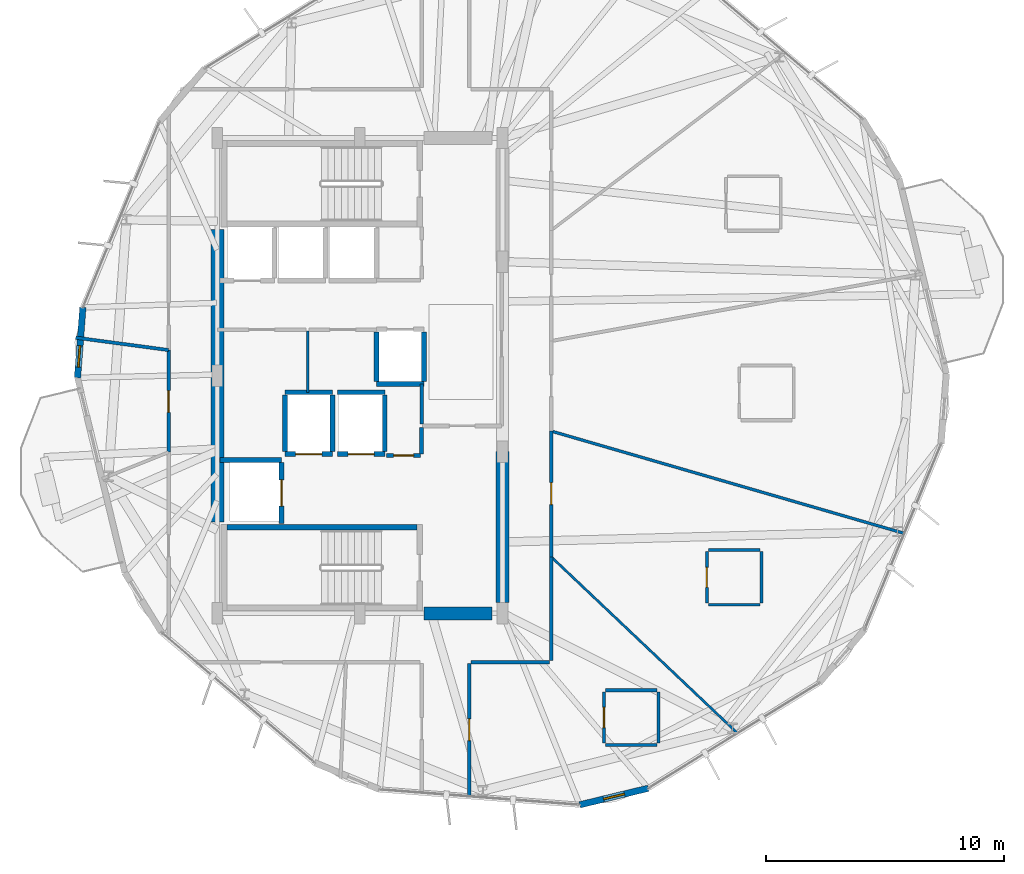
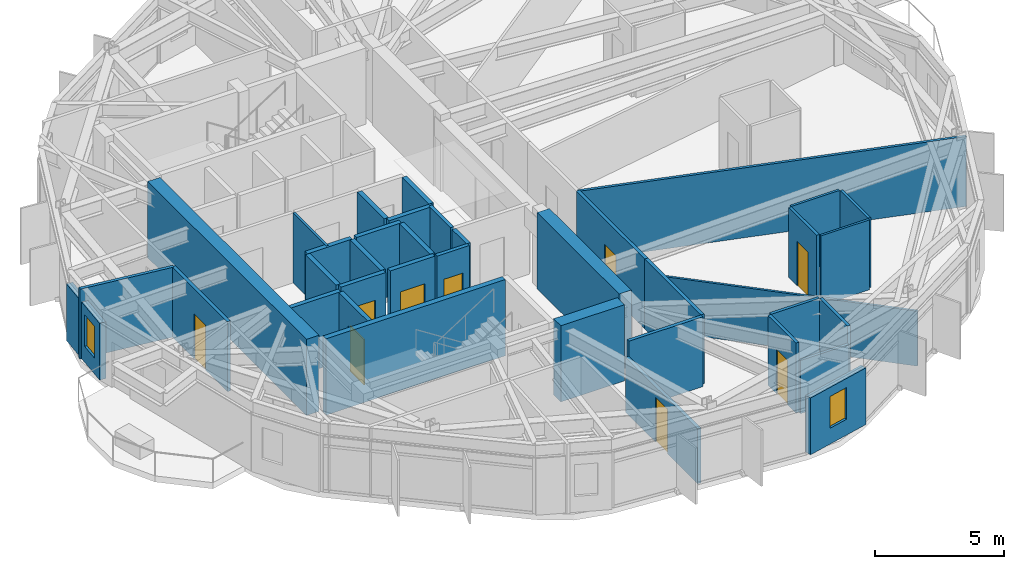
# One storey, part 15 of 21: 38 walls, 9 doors, 2 windows, 11 openings.
"""IFC4 building model written with IfcOpenShell, lengths in metres."""

from ifc_helpers import new_model, si_unit, direction, frame, frame_2d, origin, place, context, subcontext, project, spatial, rectangle, extrude, material, layer, layer_set, type_object, element, fill, save


model = new_model("IFC4")

# Units and contexts
model_context = context("Model", 3, precision=1e-05, world=origin(), true_north=direction((0.0, 1.0)))
body_context = subcontext(model_context, "Body", "Model", "MODEL_VIEW")
ifc_project = project(units=[si_unit("LENGTHUNIT", "METRE"), si_unit("AREAUNIT", "SQUARE_METRE"), si_unit("VOLUMEUNIT", "CUBIC_METRE"), si_unit("PLANEANGLEUNIT", "RADIAN"), si_unit("MASSUNIT", "GRAM", prefix="KILO")], contexts=[model_context])

# Site, building, storey
site_placement = place(None, origin())
site = spatial("IfcSite", under=ifc_project, at=site_placement, CompositionType="ELEMENT")
building_placement = place(site_placement, origin())
building = spatial("IfcBuilding", under=site, at=building_placement, Name="Soratama Intermodal Tower", CompositionType="ELEMENT")
storey_placement = place(building_placement, frame((0.0, 0.0, 149.800048828125)))
storey = spatial("IfcBuildingStorey", under=building, at=storey_placement, Name="L36", CompositionType="ELEMENT", Elevation=149.800048828125)

# Wall, opening, window
ifc_material_1 = material(Name="Concrete f'c 42 MPa", Category="concrete")
ifc_layer_1 = layer(ifc_material_1, 0.27001953125)
ifc_layer_set_1 = layer_set([ifc_layer_1], Name="Concrete f'c 42 MPa")
wall_type_1 = type_object("IfcWallType", Name="EW-CRN-270", PredefinedType="SOLIDWALL", material=ifc_layer_set_1)
wall_1_placement = place(storey_placement, frame((26.944580078125, 27.87060546875, 0.0), z_axis=(0.0, 0.0, 1.0), x_axis=(-0.076369253278, -0.997079604221, 0.0)))
wall_1 = element("IfcWall", 1, at=wall_1_placement, inside=storey, type_object=wall_type_1, Name="L36 Corner Closure Wall 04", PredefinedType="SOLIDWALL", context=body_context, shape_type="SweptSolid", body=[
    extrude(rectangle(XDim=2.966552734375, YDim=0.27001953125, at=frame_2d((1.4833984375, 0.0))), origin(), (0.0, 0.0, 1.0), 2.678955078125),
])
opening_1_placement = place(wall_1_placement, frame((1.61669921875, 0.0, 0.75)))
opening_1 = element("IfcOpeningElement", 2, at=opening_1_placement, cuts=wall_1, Name="Opening WN-6", PredefinedType="OPENING", context=body_context, shape_type="SweptSolid", body=[
    extrude(rectangle(XDim=0.89990234375, YDim=1.5, at=frame_2d((0.449951171875, 0.75))), frame((0.0, 0.14501953125, 0.0), z_axis=(0.0, -1.0, 0.0), x_axis=(1.0, 0.0, 0.0)), (0.0, 0.0, 1.0), 0.2900390625),
])
ifc_material_2 = material(Name="Double-glazed aluminium window", Category="aluminium")
window_type = type_object("IfcWindowType", Name="WN-FAC-900", PartitioningType="SINGLE_PANEL", PredefinedType="WINDOW", material=ifc_material_2)
window_1_placement = place(opening_1_placement, origin())
window_1 = element("IfcWindow", 3, at=window_1_placement, inside=storey, type_object=window_type, Name="L36 Corner Window 04", OverallHeight=1.5, OverallWidth=0.89990234375, PartitioningType="SINGLE_PANEL", PredefinedType="WINDOW", context=body_context, shape_type="SweptSolid", body=[
    extrude(rectangle(XDim=0.89990234375, YDim=1.5, at=frame_2d((0.449951171875, 0.75))), frame((0.0, 0.030029296875, 0.0), z_axis=(0.0, -1.0, 0.0), x_axis=(1.0, 0.0, 0.0)), (0.0, 0.0, 1.0), 0.06005859375),
])
fill(opening_1, window_1)

wall_2_placement = place(storey_placement, frame((47.849365234375, 6.941162109375, 0.0), z_axis=(0.0, 0.0, 1.0), x_axis=(0.971864950353, 0.235538782955, 0.0)))
wall_2 = element("IfcWall", 4, at=wall_2_placement, inside=storey, type_object=wall_type_1, Name="L36 Corner Closure Wall 07", PredefinedType="SOLIDWALL", context=body_context, shape_type="SweptSolid", body=[
    extrude(rectangle(XDim=2.966552734375, YDim=0.27001953125, at=frame_2d((1.4833984375, 0.0))), origin(), (0.0, 0.0, 1.0), 2.678955078125),
])
opening_2_placement = place(wall_2_placement, frame((1.033203125, 0.0, 0.75)))
opening_2 = element("IfcOpeningElement", 5, at=opening_2_placement, cuts=wall_2, Name="Opening WN-6", PredefinedType="OPENING", context=body_context, shape_type="SweptSolid", body=[
    extrude(rectangle(XDim=0.89990234375, YDim=1.5, at=frame_2d((0.449951171875, 0.75))), frame((0.0, 0.14501953125, 0.0), z_axis=(0.0, -1.0, 0.0), x_axis=(1.0, 0.0, 0.0)), (0.0, 0.0, 1.0), 0.2900390625),
])
window_2_placement = place(opening_2_placement, origin())
window_2 = element("IfcWindow", 6, at=window_2_placement, inside=storey, type_object=window_type, Name="L36 Corner Window 07", OverallHeight=1.5, OverallWidth=0.89990234375, PartitioningType="SINGLE_PANEL", PredefinedType="WINDOW", context=body_context, shape_type="SweptSolid", body=[
    extrude(rectangle(XDim=0.89990234375, YDim=1.5, at=frame_2d((0.449951171875, 0.75))), frame((0.0, 0.030029296875, 0.0), z_axis=(0.0, -1.0, 0.0), x_axis=(1.0, 0.0, 0.0)), (0.0, 0.0, 1.0), 0.06005859375),
])
fill(opening_2, window_2)

# Wall, opening, door
ifc_material_3 = material(Name="Fire-rated gypsum stud partition", Category="concrete")
ifc_layer_2 = layer(ifc_material_3, 0.14990234375)
ifc_layer_set_2 = layer_set([ifc_layer_2], Name="Fire-rated gypsum stud partition")
wall_type_2 = type_object("IfcWallType", Name="IW-PART-R150", PredefinedType="PARTITIONING", material=ifc_layer_set_2)
wall_3_placement = place(storey_placement, frame((43.199951171875, 12.8798828125, 0.0), z_axis=(0.0, 0.0, 1.0), x_axis=(0.0, -1.0, 0.0)))
wall_3 = element("IfcWall", 7, at=wall_3_placement, inside=storey, type_object=wall_type_2, Name="L36 Partition W-L36-TP013", PredefinedType="PARTITIONING", context=body_context, shape_type="SweptSolid", body=[
    extrude(rectangle(XDim=5.582763671875, YDim=0.14990234375, at=frame_2d((2.79150390625, 0.0))), origin(), (0.0, 0.0, 1.0), 2.594970703125),
])
opening_3_placement = place(wall_3_placement, frame((2.31689453125, 0.0, 0.0)))
opening_3 = element("IfcOpeningElement", 8, at=opening_3_placement, cuts=wall_3, Name="Opening ID-6", PredefinedType="OPENING", context=body_context, shape_type="SweptSolid", body=[
    extrude(rectangle(XDim=0.919921875, YDim=2.1201171875, at=frame_2d((0.4599609375, 1.06005859375))), frame((0.0, 0.0849609375, 0.0), z_axis=(0.0, -1.0, 0.0), x_axis=(1.0, 0.0, 0.0)), (0.0, 0.0, 1.0), 0.169921875),
])
ifc_material_4 = material(Name="Solid hardwood acoustic door", Category="wood")
door_type_1 = type_object("IfcDoorType", Name="DR-ROOM-920", OperationType="NOTDEFINED", PredefinedType="DOOR", material=ifc_material_4)
door_1_placement = place(opening_3_placement, origin())
door_1 = element("IfcDoor", 9, at=door_1_placement, inside=storey, type_object=door_type_1, Name="L36 Door D-L36-TP007", OperationType="SINGLE_SWING_RIGHT", OverallHeight=2.1201171875, OverallWidth=0.919921875, PredefinedType="DOOR", context=body_context, shape_type="SweptSolid", body=[
    extrude(rectangle(XDim=0.919921875, YDim=2.1201171875, at=frame_2d((0.4599609375, 1.06005859375))), frame((0.0, 0.02490234375, 0.0), z_axis=(0.0, -1.0, 0.0), x_axis=(1.0, 0.0, 0.0)), (0.0, 0.0, 1.0), 0.050048828125),
])
fill(opening_3, door_1)

wall_4_placement = place(storey_placement, frame((46.64990234375, 22.66796875, 0.0), z_axis=(0.0, 0.0, 1.0), x_axis=(0.0, -1.0, 0.0)))
wall_4 = element("IfcWall", 10, at=wall_4_placement, inside=storey, type_object=wall_type_2, Name="L36 Partition W-L36-TP015", PredefinedType="PARTITIONING", context=body_context, shape_type="SweptSolid", body=[
    extrude(rectangle(XDim=5.291015625, YDim=0.14990234375, at=frame_2d((2.6455078125, 0.0))), origin(), (0.0, 0.0, 1.0), 3.300048828125),
])
opening_4_placement = place(wall_4_placement, frame((2.1708984375, 0.0, 0.0)))
opening_4 = element("IfcOpeningElement", 11, at=opening_4_placement, cuts=wall_4, Name="Opening ID-6", PredefinedType="OPENING", context=body_context, shape_type="SweptSolid", body=[
    extrude(rectangle(XDim=0.919921875, YDim=2.1201171875, at=frame_2d((0.4599609375, 1.06005859375))), frame((0.0, 0.0849609375, 0.0), z_axis=(0.0, -1.0, 0.0), x_axis=(1.0, 0.0, 0.0)), (0.0, 0.0, 1.0), 0.169921875),
])
door_2_placement = place(opening_4_placement, origin())
door_2 = element("IfcDoor", 12, at=door_2_placement, inside=storey, type_object=door_type_1, Name="L36 Door D-L36-TP009", OperationType="SINGLE_SWING_RIGHT", OverallHeight=2.1201171875, OverallWidth=0.919921875, PredefinedType="DOOR", context=body_context, shape_type="SweptSolid", body=[
    extrude(rectangle(XDim=0.919921875, YDim=2.1201171875, at=frame_2d((0.4599609375, 1.06005859375))), frame((0.0, 0.02490234375, 0.0), z_axis=(0.0, -1.0, 0.0), x_axis=(1.0, 0.0, 0.0)), (0.0, 0.0, 1.0), 0.050048828125),
])
fill(opening_4, door_2)

# Wall
wall_5_placement = place(storey_placement, frame((46.64990234375, 17.376953125, 0.0), z_axis=(0.0, 0.0, 1.0), x_axis=(0.0, -1.0, 0.0)))
element("IfcWall", 13, at=wall_5_placement, inside=storey, type_object=wall_type_2, Name="L36 Partition W-L36-TP018", PredefinedType="PARTITIONING", context=body_context, shape_type="SweptSolid", body=[
    extrude(rectangle(XDim=4.35693359375, YDim=0.14990234375, at=frame_2d((2.178466796875, 0.0))), origin(), (0.0, 0.0, 1.0), 3.300048828125),
])

# Wall, opening, door
wall_6_placement = place(storey_placement, frame((30.550048828125, 21.778076171875, 0.0), z_axis=(0.0, 0.0, 1.0), x_axis=(0.0, 1.0, 0.0)))
wall_6 = element("IfcWall", 14, at=wall_6_placement, inside=storey, type_object=wall_type_2, Name="L36 Partition W-L36-TP019", PredefinedType="PARTITIONING", context=body_context, shape_type="SweptSolid", body=[
    extrude(rectangle(XDim=4.298828125, YDim=0.14990234375, at=frame_2d((2.1494140625, 0.0))), origin(), (0.0, 0.0, 1.0), 3.300048828125),
])
opening_5_placement = place(wall_6_placement, frame((1.675048828125, 0.0, 0.0)))
opening_5 = element("IfcOpeningElement", 15, at=opening_5_placement, cuts=wall_6, Name="Opening ID-6", PredefinedType="OPENING", context=body_context, shape_type="SweptSolid", body=[
    extrude(rectangle(XDim=0.919921875, YDim=2.1201171875, at=frame_2d((0.4599609375, 1.06005859375))), frame((0.0, 0.0849609375, 0.0), z_axis=(0.0, -1.0, 0.0), x_axis=(1.0, 0.0, 0.0)), (0.0, 0.0, 1.0), 0.169921875),
])
door_3_placement = place(opening_5_placement, origin())
door_3 = element("IfcDoor", 16, at=door_3_placement, inside=storey, type_object=door_type_1, Name="L36 Door D-L36-TP011", OperationType="SINGLE_SWING_RIGHT", OverallHeight=2.1201171875, OverallWidth=0.919921875, PredefinedType="DOOR", context=body_context, shape_type="SweptSolid", body=[
    extrude(rectangle(XDim=0.919921875, YDim=2.1201171875, at=frame_2d((0.4599609375, 1.06005859375))), frame((0.0, 0.02490234375, 0.0), z_axis=(0.0, -1.0, 0.0), x_axis=(1.0, 0.0, 0.0)), (0.0, 0.0, 1.0), 0.050048828125),
])
fill(opening_5, door_3)

# Walls
wall_7_placement = place(storey_placement, frame((46.580078125, 12.949951171875, 0.0), z_axis=(0.0, 0.0, 1.0), x_axis=(-1.0, 0.0, 0.0)))
element("IfcWall", 17, at=wall_7_placement, inside=storey, type_object=wall_type_2, Name="L36 Partition W-L36-TP025", PredefinedType="PARTITIONING", context=body_context, shape_type="SweptSolid", body=[
    extrude(rectangle(XDim=3.31005859375, YDim=0.14990234375, at=frame_2d((1.655029296875, 0.0))), origin(), (0.0, 0.0, 1.0), 3.300048828125),
])
wall_8_placement = place(storey_placement, frame((41.199951171875, 22.9599609375, 0.0), z_axis=(0.0, 0.0, 1.0), x_axis=(0.0, 1.0, 0.0)))
element("IfcWall", 18, at=wall_8_placement, inside=storey, type_object=wall_type_2, Name="L36 Partition W-L36-TP048", PredefinedType="PARTITIONING", context=body_context, shape_type="SweptSolid", body=[
    extrude(rectangle(XDim=1.68994140625, YDim=0.14990234375, at=frame_2d((0.844970703125, 0.0))), origin(), (0.0, 0.0, 1.0), 3.300048828125),
])

# Wall, opening, door
ifc_material_5 = material(Name="Fire-rated gypsum stud partition", Category="concrete")
ifc_layer_3 = layer(ifc_material_5, 0.169921875)
ifc_layer_set_3 = layer_set([ifc_layer_3], Name="Fire-rated gypsum stud partition")
wall_type_3 = type_object("IfcWallType", Name="IW-PART-R170", PredefinedType="PARTITIONING", material=ifc_layer_set_3)
wall_9_placement = place(storey_placement, frame((39.719970703125, 21.639892578125, 0.0), z_axis=(0.0, 0.0, 1.0), x_axis=(1.0, 0.0, 0.0)))
wall_9 = element("IfcWall", 19, at=wall_9_placement, inside=storey, type_object=wall_type_3, Name="L36 Partition W-L36-TP049", PredefinedType="PARTITIONING", context=body_context, shape_type="SweptSolid", body=[
    extrude(rectangle(XDim=1.43994140625, YDim=0.169921875, at=frame_2d((0.719970703125, 0.0))), origin(), (0.0, 0.0, 1.0), 3.300048828125),
])
opening_6_placement = place(wall_9_placement, frame((0.294921875, 0.0, 0.0)))
opening_6 = element("IfcOpeningElement", 20, at=opening_6_placement, cuts=wall_9, Name="Opening ID-4", PredefinedType="OPENING", context=body_context, shape_type="SweptSolid", body=[
    extrude(rectangle(XDim=0.85009765625, YDim=2.10009765625, at=frame_2d((0.425048828125, 1.050048828125))), frame((0.0, 0.094970703125, 0.0), z_axis=(0.0, -1.0, 0.0), x_axis=(1.0, 0.0, 0.0)), (0.0, 0.0, 1.0), 0.18994140625),
])
ifc_material_6 = material(Name="Solid hardwood acoustic door", Category="wood")
door_type_2 = type_object("IfcDoorType", Name="DR-BATH-850", OperationType="NOTDEFINED", PredefinedType="DOOR", material=ifc_material_6)
door_4_placement = place(opening_6_placement, origin())
door_4 = element("IfcDoor", 21, at=door_4_placement, inside=storey, type_object=door_type_2, Name="L36 Door D-L36-TP021", OperationType="SINGLE_SWING_RIGHT", OverallHeight=2.10009765625, OverallWidth=0.85009765625, PredefinedType="DOOR", context=body_context, shape_type="SweptSolid", body=[
    extrude(rectangle(XDim=0.85009765625, YDim=2.10009765625, at=frame_2d((0.425048828125, 1.050048828125))), frame((0.0, 0.02490234375, 0.0), z_axis=(0.0, -1.0, 0.0), x_axis=(1.0, 0.0, 0.0)), (0.0, 0.0, 1.0), 0.050048828125),
])
fill(opening_6, door_4)

# Walls
wall_10_placement = place(storey_placement, frame((41.199951171875, 21.699951171875, 0.0), z_axis=(0.0, 0.0, 1.0), x_axis=(0.0, 1.0, 0.0)))
element("IfcWall", 22, at=wall_10_placement, inside=storey, type_object=wall_type_3, Name="L36 Partition W-L36-TP050", PredefinedType="PARTITIONING", context=body_context, shape_type="SweptSolid", body=[
    extrude(rectangle(XDim=1.1201171875, YDim=0.169921875, at=frame_2d((0.56005859375, 0.0))), origin(), (0.0, 0.0, 1.0), 3.300048828125),
])
ifc_material_7 = material(Name="Fire-rated gypsum stud partition", Category="concrete")
ifc_layer_4 = layer(ifc_material_7, 0.10009765625)
ifc_layer_set_4 = layer_set([ifc_layer_4], Name="Fire-rated gypsum stud partition")
wall_type_4 = type_object("IfcWallType", Name="IW-PART-S100", PredefinedType="PARTITIONING", material=ifc_layer_set_4)
wall_11_placement = place(storey_placement, frame((46.64990234375, 17.376953125, 0.0), z_axis=(0.0, 0.0, 1.0), x_axis=(0.726208125351, -0.687474914942, 0.0)))
element("IfcWall", 23, at=wall_11_placement, inside=storey, type_object=wall_type_4, Name="L36 Partition W-L36-TP004", PredefinedType="PARTITIONING", context=body_context, shape_type="SweptSolid", body=[
    extrude(rectangle(XDim=10.79736328125, YDim=0.10009765625, at=frame_2d((5.398681640625, 0.0))), origin(), (0.0, 0.0, 1.0), 2.594970703125),
])
wall_12_placement = place(storey_placement, frame((36.39990234375, 26.8798828125, 0.0), z_axis=(0.0, 0.0, 1.0), x_axis=(0.0, -1.0, 0.0)))
element("IfcWall", 24, at=wall_12_placement, inside=storey, type_object=wall_type_4, Name="L36 Partition W-L36-TP029", PredefinedType="PARTITIONING", context=body_context, shape_type="SweptSolid", body=[
    extrude(rectangle(XDim=2.579833984375, YDim=0.10009765625, at=frame_2d((1.2900390625, 0.0))), origin(), (0.0, 0.0, 1.0), 3.300048828125),
])
wall_13_placement = place(storey_placement, frame((53.26806640625, 15.364013671875, 0.0), z_axis=(0.0, 0.0, 1.0), x_axis=(1.0, 0.0, 0.0)))
element("IfcWall", 25, at=wall_13_placement, inside=storey, type_object=wall_type_4, Name="L36 Partition W-L36-TP044", PredefinedType="PARTITIONING", context=body_context, shape_type="SweptSolid", body=[
    extrude(rectangle(XDim=2.159912109375, YDim=0.10009765625, at=frame_2d((1.080078125, 0.0))), origin(), (0.0, 0.0, 1.0), 3.300048828125),
])
ifc_material_8 = material(Name="Fire-rated gypsum stud partition", Category="concrete")
ifc_layer_5 = layer(ifc_material_8, 0.110107421875)
ifc_layer_set_5 = layer_set([ifc_layer_5], Name="Fire-rated gypsum stud partition")
wall_type_5 = type_object("IfcWallType", Name="IW-PART-S110", PredefinedType="PARTITIONING", material=ifc_layer_set_5)
wall_14_placement = place(storey_placement, frame((55.427978515625, 17.6640625, 0.0), z_axis=(0.0, 0.0, 1.0), x_axis=(-1.0, 0.0, 0.0)))
element("IfcWall", 26, at=wall_14_placement, inside=storey, type_object=wall_type_5, Name="L36 Partition W-L36-TP043", PredefinedType="PARTITIONING", context=body_context, shape_type="SweptSolid", body=[
    extrude(rectangle(XDim=2.159912109375, YDim=0.110107421875, at=frame_2d((1.080078125, 0.0))), origin(), (0.0, 0.0, 1.0), 3.300048828125),
])
ifc_material_9 = material(Name="Fire-rated gypsum stud partition", Category="concrete")
ifc_layer_6 = layer(ifc_material_9, 0.1201171875)
ifc_layer_set_6 = layer_set([ifc_layer_6], Name="Fire-rated gypsum stud partition")
wall_type_6 = type_object("IfcWallType", Name="IW-PART-S120", PredefinedType="PARTITIONING", material=ifc_layer_set_6)
wall_15_placement = place(storey_placement, frame((46.64990234375, 22.66796875, 0.0), z_axis=(0.0, 0.0, 1.0), x_axis=(0.960498108687, -0.278286512804, 0.0)))
element("IfcWall", 27, at=wall_15_placement, inside=storey, type_object=wall_type_6, Name="L36 Partition W-L36-TP002", PredefinedType="PARTITIONING", context=body_context, shape_type="SweptSolid", body=[
    extrude(rectangle(XDim=15.4658203125, YDim=0.1201171875, at=frame_2d((7.73291015625, 0.0))), origin(), (0.0, 0.0, 1.0), 3.300048828125),
])
wall_16_placement = place(storey_placement, frame((55.498046875, 15.43408203125, 0.0), z_axis=(0.0, 0.0, 1.0), x_axis=(0.0, 1.0, 0.0)))
element("IfcWall", 28, at=wall_16_placement, inside=storey, type_object=wall_type_6, Name="L36 Partition W-L36-TP032", PredefinedType="PARTITIONING", context=body_context, shape_type="SweptSolid", body=[
    extrude(rectangle(XDim=2.159912109375, YDim=0.1201171875, at=frame_2d((1.080078125, 0.0))), origin(), (0.0, 0.0, 1.0), 3.300048828125),
])
wall_17_placement = place(storey_placement, frame((48.94189453125, 9.465087890625, 0.0), z_axis=(0.0, 0.0, 1.0), x_axis=(1.0, 0.0, 0.0)))
element("IfcWall", 29, at=wall_17_placement, inside=storey, type_object=wall_type_6, Name="L36 Partition W-L36-TP042", PredefinedType="PARTITIONING", context=body_context, shape_type="SweptSolid", body=[
    extrude(rectangle(XDim=2.16015625, YDim=0.1201171875, at=frame_2d((1.080078125, 0.0))), origin(), (0.0, 0.0, 1.0), 2.510986328125),
])

# Wall, opening, door
ifc_material_10 = material(Name="Fire-rated gypsum stud partition", Category="concrete")
ifc_layer_7 = layer(ifc_material_10, 0.1298828125)
ifc_layer_set_7 = layer_set([ifc_layer_7], Name="Fire-rated gypsum stud partition")
wall_type_7 = type_object("IfcWallType", Name="IW-PART-S130", PredefinedType="PARTITIONING", material=ifc_layer_set_7)
wall_18_placement = place(storey_placement, frame((53.197998046875, 17.593994140625, 0.0), z_axis=(0.0, 0.0, 1.0), x_axis=(0.0, -1.0, 0.0)))
wall_18 = element("IfcWall", 30, at=wall_18_placement, inside=storey, type_object=wall_type_7, Name="L36 Partition W-L36-TP031", PredefinedType="PARTITIONING", context=body_context, shape_type="SweptSolid", body=[
    extrude(rectangle(XDim=2.159912109375, YDim=0.1298828125, at=frame_2d((1.080078125, 0.0))), origin(), (0.0, 0.0, 1.0), 3.300048828125),
])
opening_7_placement = place(wall_18_placement, frame((0.655029296875, 0.0, 0.0)))
opening_7 = element("IfcOpeningElement", 31, at=opening_7_placement, cuts=wall_18, Name="Opening ID-4", PredefinedType="OPENING", context=body_context, shape_type="SweptSolid", body=[
    extrude(rectangle(XDim=0.85009765625, YDim=2.10009765625, at=frame_2d((0.425048828125, 1.050048828125))), frame((0.0, 0.074951171875, 0.0), z_axis=(0.0, -1.0, 0.0), x_axis=(1.0, 0.0, 0.0)), (0.0, 0.0, 1.0), 0.14990234375),
])
door_5_placement = place(opening_7_placement, origin())
door_5 = element("IfcDoor", 32, at=door_5_placement, inside=storey, type_object=door_type_2, Name="L36 Door D-L36-TP017", OperationType="SINGLE_SWING_RIGHT", OverallHeight=2.10009765625, OverallWidth=0.85009765625, PredefinedType="DOOR", context=body_context, shape_type="SweptSolid", body=[
    extrude(rectangle(XDim=0.85009765625, YDim=2.10009765625, at=frame_2d((0.425048828125, 1.050048828125))), frame((0.0, 0.02490234375, 0.0), z_axis=(0.0, -1.0, 0.0), x_axis=(1.0, 0.0, 0.0)), (0.0, 0.0, 1.0), 0.050048828125),
])
fill(opening_7, door_5)

# Walls
for number, where, z_axis, x_axis, name in (
    (33, (51.172119140625, 9.534912109375, 0.0), (0.0, 0.0, 1.0), (0.0, 1.0, 0.0), "L36 Partition W-L36-TP036"),
    (34, (51.10205078125, 11.764892578125, 0.0), (0.0, 0.0, 1.0), (-1.0, 0.0, 0.0), "L36 Partition W-L36-TP041"),
):
    element("IfcWall", number, at=place(storey_placement, frame(where, z_axis=z_axis, x_axis=x_axis)), inside=storey, type_object=wall_type_7, Name=name, PredefinedType="PARTITIONING", context=body_context, shape_type="SweptSolid", body=[
        extrude(rectangle(XDim=2.16015625, YDim=0.1298828125, at=frame_2d((1.080078125, 0.0))), origin(), (0.0, 0.0, 1.0), 3.300048828125),
    ])
ifc_material_11 = material(Name="Fire-rated gypsum stud partition", Category="concrete")
ifc_layer_8 = layer(ifc_material_11, 0.139892578125)
ifc_layer_set_8 = layer_set([ifc_layer_8], Name="Fire-rated gypsum stud partition")
wall_type_8 = type_object("IfcWallType", Name="IW-PART-S140", PredefinedType="PARTITIONING", material=ifc_layer_set_8)
wall_19_placement = place(storey_placement, frame((30.550048828125, 26.076904296875, 0.0), z_axis=(0.0, 0.0, 1.0), x_axis=(-0.991156915063, 0.132695025238, 0.0)))
element("IfcWall", 35, at=wall_19_placement, inside=storey, type_object=wall_type_8, Name="L36 Partition W-L36-TP020", PredefinedType="PARTITIONING", context=body_context, shape_type="SweptSolid", body=[
    extrude(rectangle(XDim=3.94287109375, YDim=0.139892578125, at=frame_2d((1.971435546875, 0.0))), origin(), (0.0, 0.0, 1.0), 3.300048828125),
])

# Wall, opening, door
wall_20_placement = place(storey_placement, frame((48.8720703125, 11.695068359375, 0.0), z_axis=(0.0, 0.0, 1.0), x_axis=(0.0, -1.0, 0.0)))
wall_20 = element("IfcWall", 36, at=wall_20_placement, inside=storey, type_object=wall_type_8, Name="L36 Partition W-L36-TP035", PredefinedType="PARTITIONING", context=body_context, shape_type="SweptSolid", body=[
    extrude(rectangle(XDim=2.16015625, YDim=0.139892578125, at=frame_2d((1.080078125, 0.0))), origin(), (0.0, 0.0, 1.0), 3.300048828125),
])
opening_8_placement = place(wall_20_placement, frame((0.655029296875, 0.0, 0.0)))
opening_8 = element("IfcOpeningElement", 37, at=opening_8_placement, cuts=wall_20, Name="Opening ID-4", PredefinedType="OPENING", context=body_context, shape_type="SweptSolid", body=[
    extrude(rectangle(XDim=0.85009765625, YDim=2.10009765625, at=frame_2d((0.425048828125, 1.050048828125))), frame((0.0, 0.079833984375, 0.0), z_axis=(0.0, -1.0, 0.0), x_axis=(1.0, 0.0, 0.0)), (0.0, 0.0, 1.0), 0.159912109375),
])
door_6_placement = place(opening_8_placement, origin())
door_6 = element("IfcDoor", 38, at=door_6_placement, inside=storey, type_object=door_type_2, Name="L36 Door D-L36-TP019", OperationType="SINGLE_SWING_RIGHT", OverallHeight=2.10009765625, OverallWidth=0.85009765625, PredefinedType="DOOR", context=body_context, shape_type="SweptSolid", body=[
    extrude(rectangle(XDim=0.85009765625, YDim=2.10009765625, at=frame_2d((0.425048828125, 1.050048828125))), frame((0.0, 0.02490234375, 0.0), z_axis=(0.0, -1.0, 0.0), x_axis=(1.0, 0.0, 0.0)), (0.0, 0.0, 1.0), 0.050048828125),
])
fill(opening_8, door_6)

ifc_material_12 = material(Name="Concrete f'c 42 MPa", Category="concrete")
ifc_layer_9 = layer(ifc_material_12, 0.199951171875)
ifc_layer_set_9 = layer_set([ifc_layer_9], Name="Concrete f'c 42 MPa")
wall_type_9 = type_object("IfcWallType", Name="IW-SHAFT-200", PredefinedType="SOLIDWALL", material=ifc_layer_set_9)
wall_21_placement = place(storey_placement, frame((35.449951171875, 21.699951171875, 0.0), z_axis=(0.0, 0.0, 1.0), x_axis=(1.0, 0.0, 0.0)))
wall_21 = element("IfcWall", 39, at=wall_21_placement, inside=storey, type_object=wall_type_9, Name="L36 FFL-1 Hoistway Wall S", PredefinedType="SOLIDWALL", context=body_context, shape_type="SweptSolid", body=[
    extrude(rectangle(XDim=2.0, YDim=0.199951171875, at=frame_2d((1.0, 0.0))), origin(), (0.0, 0.0, 1.0), 3.300048828125),
])
opening_9_placement = place(wall_21_placement, frame((0.449951171875, 0.0, 0.0)))
opening_9 = element("IfcOpeningElement", 40, at=opening_9_placement, cuts=wall_21, Name="Opening LD-1", PredefinedType="OPENING", context=body_context, shape_type="SweptSolid", body=[
    extrude(rectangle(XDim=1.10009765625, YDim=2.14990234375, at=frame_2d((0.550048828125, 1.074951171875))), frame((0.0, 0.10986328125, 0.0), z_axis=(0.0, -1.0, 0.0), x_axis=(1.0, 0.0, 0.0)), (0.0, 0.0, 1.0), 0.219970703125),
])
ifc_material_13 = material(Name="Steel fire door", Category="steel")
door_type_3 = type_object("IfcDoorType", Name="DR-LIFT-SLIDE", OperationType="NOTDEFINED", PredefinedType="DOOR", material=ifc_material_13)
door_7_placement = place(opening_9_placement, origin())
door_7 = element("IfcDoor", 41, at=door_7_placement, inside=storey, type_object=door_type_3, Name="L36 FFL-1 Sliding Landing Door", OperationType="SLIDING_TO_LEFT", OverallHeight=2.14990234375, OverallWidth=1.10009765625, PredefinedType="DOOR", context=body_context, shape_type="SweptSolid", body=[
    extrude(rectangle(XDim=1.10009765625, YDim=2.14990234375, at=frame_2d((0.550048828125, 1.074951171875))), frame((0.0, 0.02490234375, 0.0), z_axis=(0.0, -1.0, 0.0), x_axis=(1.0, 0.0, 0.0)), (0.0, 0.0, 1.0), 0.050048828125),
])
fill(opening_9, door_7)

# Walls
wall_22_placement = place(storey_placement, frame((35.449951171875, 24.300048828125, 0.0), z_axis=(0.0, 0.0, 1.0), x_axis=(1.0, 0.0, 0.0)))
element("IfcWall", 42, at=wall_22_placement, inside=storey, type_object=wall_type_9, Name="L36 FFL-1 Hoistway Wall N", PredefinedType="SOLIDWALL", context=body_context, shape_type="SweptSolid", body=[
    extrude(rectangle(XDim=2.0, YDim=0.199951171875, at=frame_2d((1.0, 0.0))), origin(), (0.0, 0.0, 1.0), 3.300048828125),
])
for number, where, z_axis, x_axis, name in (
    (43, (35.449951171875, 21.81005859375, 0.0), (0.0, 0.0, 1.0), (0.0, 1.0, 0.0), "L36 FFL-1 Hoistway Wall W"),
    (44, (37.449951171875, 21.81005859375, 0.0), (0.0, 0.0, 1.0), (0.0, 1.0, 0.0), "L36 FFL-1 Hoistway Wall E"),
):
    element("IfcWall", number, at=place(storey_placement, frame(where, z_axis=z_axis, x_axis=x_axis)), inside=storey, type_object=wall_type_9, Name=name, PredefinedType="SOLIDWALL", context=body_context, shape_type="SweptSolid", body=[
        extrude(rectangle(XDim=2.3798828125, YDim=0.199951171875, at=frame_2d((1.18994140625, 0.0))), origin(), (0.0, 0.0, 1.0), 3.300048828125),
    ])

# Wall, opening, door
wall_23_placement = place(storey_placement, frame((37.64990234375, 21.699951171875, 0.0), z_axis=(0.0, 0.0, 1.0), x_axis=(1.0, 0.0, 0.0)))
wall_23 = element("IfcWall", 45, at=wall_23_placement, inside=storey, type_object=wall_type_9, Name="L36 FFL-2 Hoistway Wall S", PredefinedType="SOLIDWALL", context=body_context, shape_type="SweptSolid", body=[
    extrude(rectangle(XDim=2.0, YDim=0.199951171875, at=frame_2d((1.0, 0.0))), origin(), (0.0, 0.0, 1.0), 3.300048828125),
])
opening_10_placement = place(wall_23_placement, frame((0.449951171875, 0.0, 0.0)))
opening_10 = element("IfcOpeningElement", 46, at=opening_10_placement, cuts=wall_23, Name="Opening LD-1", PredefinedType="OPENING", context=body_context, shape_type="SweptSolid", body=[
    extrude(rectangle(XDim=1.10009765625, YDim=2.14990234375, at=frame_2d((0.550048828125, 1.074951171875))), frame((0.0, 0.10986328125, 0.0), z_axis=(0.0, -1.0, 0.0), x_axis=(1.0, 0.0, 0.0)), (0.0, 0.0, 1.0), 0.219970703125),
])
door_8_placement = place(opening_10_placement, origin())
door_8 = element("IfcDoor", 47, at=door_8_placement, inside=storey, type_object=door_type_3, Name="L36 FFL-2 Sliding Landing Door", OperationType="SLIDING_TO_LEFT", OverallHeight=2.14990234375, OverallWidth=1.10009765625, PredefinedType="DOOR", context=body_context, shape_type="SweptSolid", body=[
    extrude(rectangle(XDim=1.10009765625, YDim=2.14990234375, at=frame_2d((0.550048828125, 1.074951171875))), frame((0.0, 0.02490234375, 0.0), z_axis=(0.0, -1.0, 0.0), x_axis=(1.0, 0.0, 0.0)), (0.0, 0.0, 1.0), 0.050048828125),
])
fill(opening_10, door_8)

# Walls
wall_24_placement = place(storey_placement, frame((37.64990234375, 24.300048828125, 0.0), z_axis=(0.0, 0.0, 1.0), x_axis=(1.0, 0.0, 0.0)))
element("IfcWall", 48, at=wall_24_placement, inside=storey, type_object=wall_type_9, Name="L36 FFL-2 Hoistway Wall N", PredefinedType="SOLIDWALL", context=body_context, shape_type="SweptSolid", body=[
    extrude(rectangle(XDim=2.0, YDim=0.199951171875, at=frame_2d((1.0, 0.0))), origin(), (0.0, 0.0, 1.0), 3.300048828125),
])
wall_25_placement = place(storey_placement, frame((39.64990234375, 21.81005859375, 0.0), z_axis=(0.0, 0.0, 1.0), x_axis=(0.0, 1.0, 0.0)))
element("IfcWall", 49, at=wall_25_placement, inside=storey, type_object=wall_type_9, Name="L36 FFL-2 Hoistway Wall E", PredefinedType="SOLIDWALL", context=body_context, shape_type="SweptSolid", body=[
    extrude(rectangle(XDim=2.3798828125, YDim=0.199951171875, at=frame_2d((1.18994140625, 0.0))), origin(), (0.0, 0.0, 1.0), 3.300048828125),
])
wall_26_placement = place(storey_placement, frame((32.719970703125, 21.449951171875, 0.0), z_axis=(0.0, 0.0, 1.0), x_axis=(1.0, 0.0, 0.0)))
element("IfcWall", 50, at=wall_26_placement, inside=storey, type_object=wall_type_9, Name="L36 SVL-1 Hoistway Wall N", PredefinedType="SOLIDWALL", context=body_context, shape_type="SweptSolid", body=[
    extrude(rectangle(XDim=2.580078125, YDim=0.199951171875, at=frame_2d((1.2900390625, 0.0))), origin(), (0.0, 0.0, 1.0), 3.300048828125),
])

# Wall, opening, door
wall_27_placement = place(storey_placement, frame((35.300048828125, 18.7900390625, 0.0), z_axis=(0.0, 0.0, 1.0), x_axis=(0.0, 1.0, 0.0)))
wall_27 = element("IfcWall", 51, at=wall_27_placement, inside=storey, type_object=wall_type_9, Name="L36 SVL-1 Hoistway Wall E", PredefinedType="SOLIDWALL", context=body_context, shape_type="SweptSolid", body=[
    extrude(rectangle(XDim=2.550048828125, YDim=0.199951171875, at=frame_2d((1.27490234375, 0.0))), origin(), (0.0, 0.0, 1.0), 3.300048828125),
])
opening_11_placement = place(wall_27_placement, frame((0.72509765625, 0.0, 0.0)))
opening_11 = element("IfcOpeningElement", 52, at=opening_11_placement, cuts=wall_27, Name="Opening LD-1", PredefinedType="OPENING", context=body_context, shape_type="SweptSolid", body=[
    extrude(rectangle(XDim=1.10009765625, YDim=2.14990234375, at=frame_2d((0.550048828125, 1.074951171875))), frame((0.0, 0.10986328125, 0.0), z_axis=(0.0, -1.0, 0.0), x_axis=(1.0, 0.0, 0.0)), (0.0, 0.0, 1.0), 0.219970703125),
])
door_9_placement = place(opening_11_placement, origin())
door_9 = element("IfcDoor", 53, at=door_9_placement, inside=storey, type_object=door_type_3, Name="L36 SVL-1 Sliding Landing Door", OperationType="SLIDING_TO_LEFT", OverallHeight=2.14990234375, OverallWidth=1.10009765625, PredefinedType="DOOR", context=body_context, shape_type="SweptSolid", body=[
    extrude(rectangle(XDim=1.10009765625, YDim=2.14990234375, at=frame_2d((0.550048828125, 1.074951171875))), frame((0.0, 0.02490234375, 0.0), z_axis=(0.0, -1.0, 0.0), x_axis=(1.0, 0.0, 0.0)), (0.0, 0.0, 1.0), 0.050048828125),
])
fill(opening_11, door_9)

# Walls
wall_28_placement = place(storey_placement, frame((39.300048828125, 24.64990234375, 0.0), z_axis=(0.0, 0.0, 1.0), x_axis=(1.0, 0.0, 0.0)))
element("IfcWall", 54, at=wall_28_placement, inside=storey, type_object=wall_type_9, Name="L36 PL-M1 Hoistway Wall S", PredefinedType="SOLIDWALL", context=body_context, shape_type="SweptSolid", body=[
    extrude(rectangle(XDim=2.0, YDim=0.199951171875, at=frame_2d((1.0, 0.0))), origin(), (0.0, 0.0, 1.0), 3.300048828125),
])
for number, where, z_axis, x_axis, name in (
    (55, (39.300048828125, 24.760009765625, 0.0), (0.0, 0.0, 1.0), (0.0, 1.0, 0.0), "L36 PL-M1 Hoistway Wall W"),
    (56, (41.300048828125, 24.760009765625, 0.0), (0.0, 0.0, 1.0), (0.0, 1.0, 0.0), "L36 PL-M1 Hoistway Wall E"),
):
    element("IfcWall", number, at=place(storey_placement, frame(where, z_axis=z_axis, x_axis=x_axis)), inside=storey, type_object=wall_type_9, Name=name, PredefinedType="SOLIDWALL", context=body_context, shape_type="SweptSolid", body=[
        extrude(rectangle(XDim=2.080078125, YDim=0.199951171875, at=frame_2d((1.0400390625, 0.0))), origin(), (0.0, 0.0, 1.0), 3.300048828125),
    ])
ifc_material_14 = material(Name="Concrete f'c 56 MPa", Category="concrete")
ifc_layer_10 = layer(ifc_material_14, 0.550048828125)
ifc_layer_set_10 = layer_set([ifc_layer_10], Name="Concrete f'c 56 MPa")
wall_type_10 = type_object("IfcWallType", Name="SW-CORE-550", PredefinedType="SHEAR", material=ifc_layer_set_10)
wall_29_placement = place(storey_placement, frame((32.60009765625, 18.85009765625, 0.0), z_axis=(0.0, 0.0, 1.0), x_axis=(0.0, 1.0, 0.0)))
element("IfcWall", 57, at=wall_29_placement, inside=storey, type_object=wall_type_10, Name="L36 Core Shear Wall CW-WMID", PredefinedType="SHEAR", context=body_context, shape_type="SweptSolid", body=[
    extrude(rectangle(XDim=12.2998046875, YDim=0.550048828125, at=frame_2d((6.14990234375, 0.0))), origin(), (0.0, 0.0, 1.0), 3.599853515625),
])
wall_30_placement = place(storey_placement, frame((41.300048828125, 15.0, 0.0), z_axis=(0.0, 0.0, 1.0), x_axis=(1.0, 0.0, 0.0)))
element("IfcWall", 58, at=wall_30_placement, inside=storey, type_object=wall_type_10, Name="L36 Core Shear Wall CW-SE", PredefinedType="SHEAR", context=body_context, shape_type="SweptSolid", body=[
    extrude(rectangle(XDim=2.849853515625, YDim=0.550048828125, at=frame_2d((1.4248046875, 0.0))), origin(), (0.0, 0.0, 1.0), 3.599853515625),
])
wall_31_placement = place(storey_placement, frame((44.60009765625, 15.449951171875, 0.0), z_axis=(0.0, 0.0, 1.0), x_axis=(0.0, 1.0, 0.0)))
element("IfcWall", 59, at=wall_31_placement, inside=storey, type_object=wall_type_10, Name="L36 Core Shear Wall CW-ES", PredefinedType="SHEAR", context=body_context, shape_type="SweptSolid", body=[
    extrude(rectangle(XDim=6.35009765625, YDim=0.550048828125, at=frame_2d((3.175048828125, 0.0))), origin(), (0.0, 0.0, 1.0), 3.599853515625),
])
ifc_material_15 = material(Name="Concrete f'c 56 MPa", Category="concrete")
ifc_layer_11 = layer(ifc_material_15, 0.239990234375)
ifc_layer_set_11 = layer_set([ifc_layer_11], Name="Concrete f'c 56 MPa")
wall_type_11 = type_object("IfcWallType", Name="SW-STAIR-240", PredefinedType="SHEAR", material=ifc_layer_set_11)
wall_32_placement = place(storey_placement, frame((33.0, 18.6201171875, 0.0), z_axis=(0.0, 0.0, 1.0), x_axis=(1.0, 0.0, 0.0)))
element("IfcWall", 60, at=wall_32_placement, inside=storey, type_object=wall_type_11, Name="L36 ST-1 Shaft Shear Wall N", PredefinedType="SHEAR", context=body_context, shape_type="SweptSolid", body=[
    extrude(rectangle(XDim=8.0, YDim=0.239990234375, at=frame_2d((4.0, 0.0))), origin(), (0.0, 0.0, 1.0), 3.599853515625),
])

save(model, "model.ifc")
